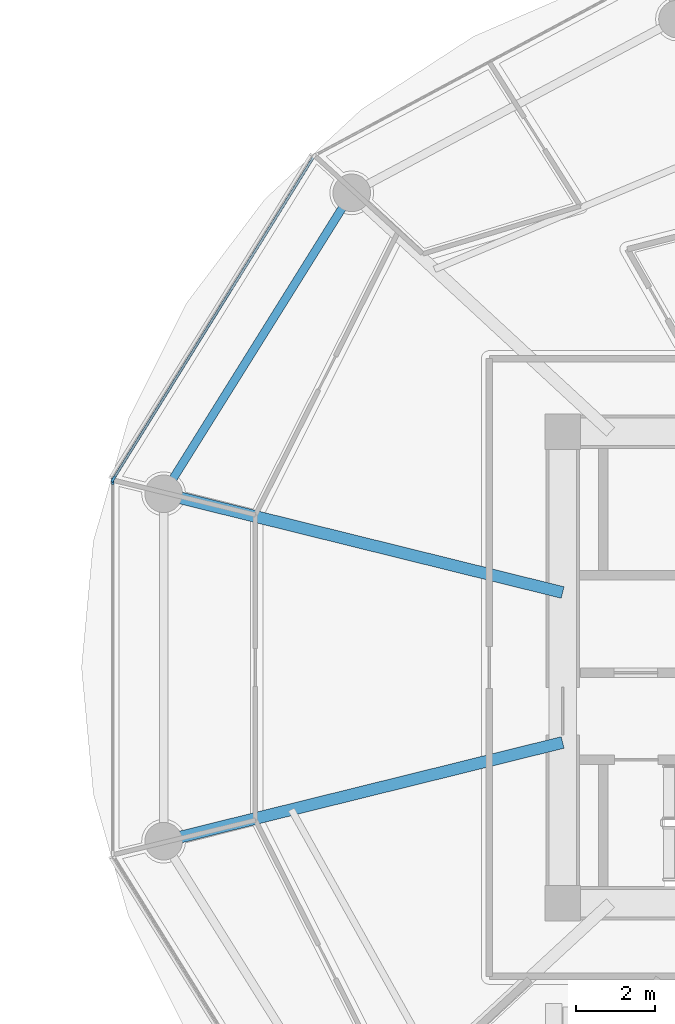
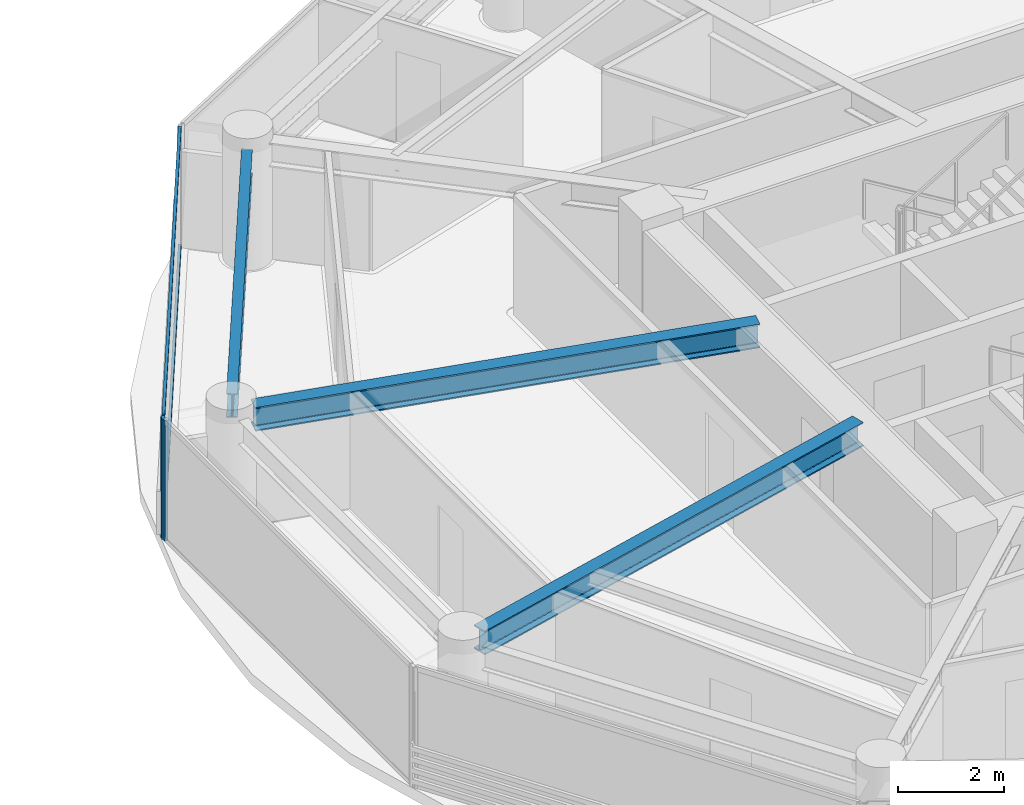
# One storey, part 8 of 31: 4 members, 3 beams, 2 elements without a shape of their own.
"""IFC4 building model written with IfcOpenShell, lengths in metres."""

from ifc_helpers import new_model, si_unit, direction, frame, origin, origin_2d, place, context, subcontext, project, spatial, rectangle, i_section, extrude, source, transform, mapped, material, layer, layer_set, material_profile, profile_set, type_object, type_shapes, element, aggregate, save


model = new_model("IFC4")

# Units and contexts
model_context = context("Model", 3, precision=1e-05, world=origin(), true_north=direction((0.0, 1.0)))
body_context = subcontext(model_context, "Body", "Model", "MODEL_VIEW")
ifc_project = project(units=[si_unit("LENGTHUNIT", "METRE"), si_unit("AREAUNIT", "SQUARE_METRE"), si_unit("VOLUMEUNIT", "CUBIC_METRE"), si_unit("PLANEANGLEUNIT", "RADIAN"), si_unit("MASSUNIT", "GRAM", prefix="KILO")], contexts=[model_context])

# Site, building, storey
site_placement = place(None, origin())
site = spatial("IfcSite", under=ifc_project, at=site_placement, CompositionType="ELEMENT")
building_placement = place(site_placement, origin())
building = spatial("IfcBuilding", under=site, at=building_placement, Name="Norrkilde Senior Care Towers", CompositionType="ELEMENT")
storey_placement = place(building_placement, frame((0.0, 0.0, 42.949951171875)))
storey = spatial("IfcBuildingStorey", under=building, at=storey_placement, Name="L12", CompositionType="ELEMENT", Elevation=42.949951171875)

# Beams
ifc_material_1 = material(Name="Steel S355", Category="steel")
ifc_material_profile_1 = material_profile(ifc_material_1, i_section(OverallWidth=0.2099609375, OverallDepth=0.550048828125, WebThickness=0.010986328125, FlangeThickness=0.01708984375, FilletRadius=0.02392578125, at=origin_2d()), Name="IPE 550")
ifc_profile_set_1 = profile_set([ifc_material_profile_1], Name="Steel S355")
beam_type_1 = type_object("IfcBeamType", Name="Perimeter Ring Spandrel Z1 IPE550", PredefinedType="SPANDREL", material=ifc_profile_set_1)
shared_shape_1 = source(origin(), body_context, "Body", "SweptSolid", [
    extrude(i_section(OverallWidth=0.2099609375, OverallDepth=0.550048828125, WebThickness=0.010986328125, FlangeThickness=0.01708984375, FilletRadius=0.02392578125, at=origin_2d()), origin(), (0.0, 0.0, 1.0), 8.090576171875),
])
type_shapes(beam_type_1, [shared_shape_1])
beam_placement = place(storey_placement, frame((14.7939453125, 11.61669921875, 2.51513671875), z_axis=(-0.530004364821, -0.84799491347, 0.0), x_axis=(0.84799491347, -0.530004364821, 0.0)))
element("IfcBeam", 1, at=beam_placement, inside=storey, type_object=beam_type_1, Name="L12 Drum E Perimeter Spandrel 05", PredefinedType="SPANDREL", context=body_context, shape_type="MappedRepresentation", body=[
    mapped(shared_shape_1, transform((0.0, 0.0, 0.0), x_axis=(1.0, 0.0, 0.0), y_axis=(0.0, 1.0, 0.0), z_axis=(0.0, 0.0, 1.0), scale=1.0)),
])
ifc_material_profile_2 = material_profile(ifc_material_1, i_section(OverallWidth=0.300048828125, OverallDepth=0.550048828125, WebThickness=0.014892578125, FlangeThickness=0.029052734375, FilletRadius=0.027099609375, at=origin_2d()), Name="HEB 550")
ifc_profile_set_2 = profile_set([ifc_material_profile_2], Name="Steel S355")
beam_type_2 = type_object("IfcBeamType", Name="Radial Floor Beam Z1 HEB550", PredefinedType="BEAM", material=ifc_profile_set_2)
shared_shape_2 = source(origin(), body_context, "Body", "SweptSolid", [
    extrude(i_section(OverallWidth=0.300048828125, OverallDepth=0.550048828125, WebThickness=0.014892578125, FlangeThickness=0.029052734375, FilletRadius=0.027099609375, at=origin_2d()), origin(), (0.0, 0.0, 1.0), 9.94384765625),
])
type_shapes(beam_type_2, [shared_shape_2])
for number, where, z_axis, x_axis, name in (
    (2, (20.35009765625, 1.893310546875, 2.51513671875), (-0.970707425182, 0.240264634718, 0.0), (-0.240264634718, -0.970707425182, 0.0), "L12 Drum E Radial Floor Beam 06"),
    (3, (20.35009765625, -1.893310546875, 2.51513671875), (-0.970707425182, -0.240264634718, 0.0), (0.240264634718, -0.970707425182, 0.0), "L12 Drum E Radial Floor Beam 07"),
):
    element("IfcBeam", number, at=place(storey_placement, frame(where, z_axis=z_axis, x_axis=x_axis)), inside=storey, type_object=beam_type_2, Name=name, PredefinedType="BEAM", context=body_context, shape_type="MappedRepresentation", body=[
        mapped(shared_shape_2, transform((0.0, 0.0, 0.0), x_axis=(1.0, 0.0, 0.0), y_axis=(0.0, 1.0, 0.0), z_axis=(0.0, 0.0, 1.0), scale=1.0)),
    ])

# Curtain wall, member
ifc_material_2 = material(Name="Triple Low-E Insulated Glazing", Category="glass")
ifc_layer = layer(ifc_material_2, 0.199951171875)
ifc_layer_set = layer_set([ifc_layer], Name="Triple Low-E Insulated Glazing")
curtain_wall_type = type_object("IfcCurtainWallType", Name="CW2 Zone 1 Memory Care Curtain Wall", PredefinedType="NOTDEFINED", material=ifc_layer_set)
curtain_wall_1_placement = place(storey_placement, origin())
curtain_wall_1 = element("IfcCurtainWall", 4, at=curtain_wall_1_placement, inside=storey, type_object=curtain_wall_type, Name="L12 Drum E Curtain Wall 04", PredefinedType="NOTDEFINED")
ifc_material_3 = material(Name="Anodised Aluminium", Category="aluminium")
ifc_material_profile_3 = material_profile(ifc_material_3, rectangle(XDim=0.06494140625, YDim=0.159912109375, at=origin_2d()), Name="ALU MULL 65x160")
ifc_profile_set_3 = profile_set([ifc_material_profile_3], Name="Anodised Aluminium")
member_type_1 = type_object("IfcMemberType", Name="Curtain Wall Mullion Z1-Z2 65x160", PredefinedType="MULLION", material=ifc_profile_set_3)
shared_shape_3 = source(origin(), body_context, "Body", "SweptSolid", [
    extrude(rectangle(XDim=0.06494140625, YDim=0.159912109375, at=origin_2d()), origin(), (0.0, 0.0, 1.0), 2.7900390625),
])
type_shapes(member_type_1, [shared_shape_3])
member_1_placement = place(storey_placement, frame((9.0078125, 4.7587890625, 0.0), z_axis=(0.0, 0.0, 1.0), x_axis=(-0.849305943117, 0.527900951871, 0.0)))
member_1 = element("IfcMember", 5, at=member_1_placement, type_object=member_type_1, Name="CW-2 mullion 1", PredefinedType="MULLION", context=body_context, shape_type="MappedRepresentation", body=[
    mapped(shared_shape_3, transform((0.0, 0.0, 0.0), x_axis=(1.0, 0.0, 0.0), y_axis=(0.0, 1.0, 0.0), z_axis=(0.0, 0.0, 1.0), scale=1.0)),
])

curtain_wall_2_placement = place(storey_placement, origin())
curtain_wall_2 = element("IfcCurtainWall", 6, at=curtain_wall_2_placement, inside=storey, type_object=curtain_wall_type, Name="L12 Drum E Curtain Wall 05", PredefinedType="NOTDEFINED")
member_2_placement = place(storey_placement, frame((8.990478515625, 4.69873046875, 0.0), z_axis=(0.0, 0.0, 1.0), x_axis=(-1.0, 0.0, 0.0)))
member_2 = element("IfcMember", 7, at=member_2_placement, type_object=member_type_1, Name="CW-2 mullion 2", PredefinedType="MULLION", context=body_context, shape_type="MappedRepresentation", body=[
    mapped(shared_shape_3, transform((0.0, 0.0, 0.0), x_axis=(1.0, 0.0, 0.0), y_axis=(0.0, 1.0, 0.0), z_axis=(0.0, 0.0, 1.0), scale=1.0)),
])
aggregate(curtain_wall_2, [member_2])

# Member
ifc_material_profile_4 = material_profile(ifc_material_3, rectangle(XDim=0.06005859375, YDim=0.1201171875, at=origin_2d()), Name="ALU TRAN 60x120")
ifc_profile_set_4 = profile_set([ifc_material_profile_4], Name="Anodised Aluminium")
member_type_2 = type_object("IfcMemberType", Name="Curtain Wall Transom Typical 60x120", PredefinedType="USERDEFINED", material=ifc_profile_set_4)
shared_shape_4 = source(origin(), body_context, "Body", "SweptSolid", [
    extrude(rectangle(XDim=0.06005859375, YDim=0.1201171875, at=origin_2d()), origin(), (0.0, 0.0, 1.0), 9.5185546875),
])
type_shapes(member_type_2, [shared_shape_4])
member_3_placement = place(storey_placement, frame((9.02490234375, 4.786376953125, 0.030029296875), z_axis=(0.527901620669, 0.849305527413, 0.0), x_axis=(-0.849305527413, 0.527901620669, 0.0)))
member_3 = element("IfcMember", 8, at=member_3_placement, type_object=member_type_2, Name="CW-2 transom 1.1", ObjectType="TRANSOM", PredefinedType="USERDEFINED", context=body_context, shape_type="MappedRepresentation", body=[
    mapped(shared_shape_4, transform((0.0, 0.0, 0.0), x_axis=(1.0, 0.0, 0.0), y_axis=(0.0, 1.0, 0.0), z_axis=(0.0, 0.0, 1.0), scale=1.0)),
])

member_4_placement = place(storey_placement, frame((9.02490234375, 4.786376953125, 2.760009765625), z_axis=(0.527901620669, 0.849305527413, 0.0), x_axis=(-0.849305527413, 0.527901620669, 0.0)))
member_4 = element("IfcMember", 9, at=member_4_placement, type_object=member_type_2, Name="CW-2 transom 1.2", ObjectType="TRANSOM", PredefinedType="USERDEFINED", context=body_context, shape_type="MappedRepresentation", body=[
    mapped(shared_shape_4, transform((0.0, 0.0, 0.0), x_axis=(1.0, 0.0, 0.0), y_axis=(0.0, 1.0, 0.0), z_axis=(0.0, 0.0, 1.0), scale=1.0)),
])

aggregate(curtain_wall_1, [member_1, member_3, member_4])

save(model, "model.ifc")
